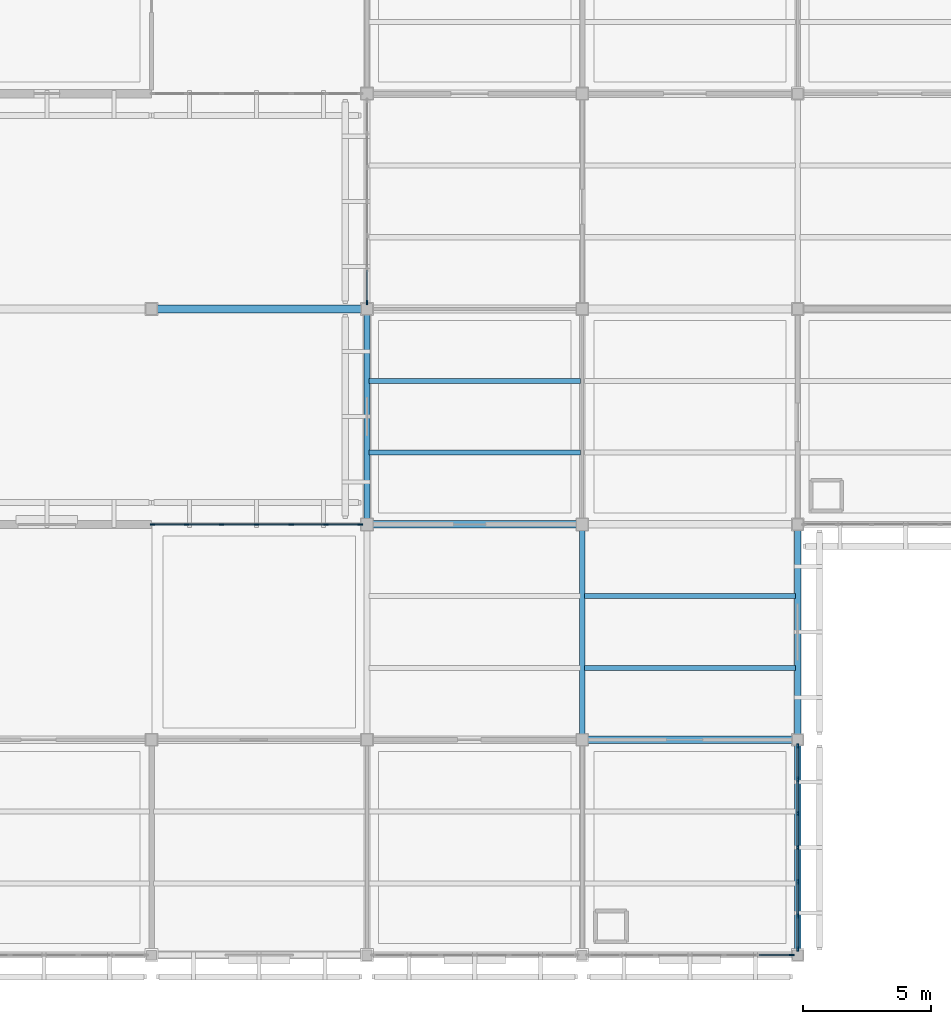
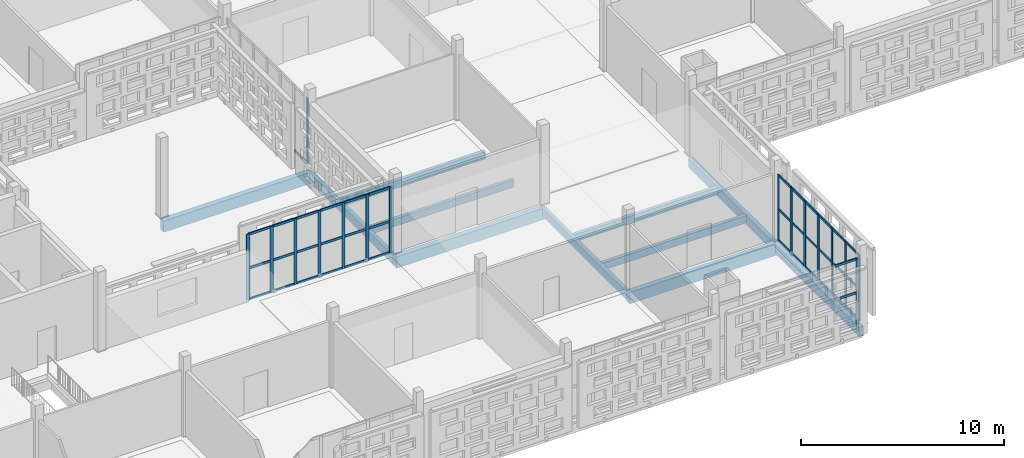
# One storey, part 20 of 203: 55 members, 11 beams, 4 elements without a shape of their own.
"""IFC4 building model written with IfcOpenShell, lengths in metres."""

from ifc_helpers import new_model, si_unit, direction, frame, origin, origin_2d, place, context, subcontext, project, spatial, rectangle, extrude, material, layer, layer_set, material_profile, profile_set, type_object, element, aggregate, save


model = new_model("IFC4")

# Units and contexts
model_context = context("Model", 3, precision=1e-05, world=origin(), true_north=direction((0.0, 1.0)))
body_context = subcontext(model_context, "Body", "Model", "MODEL_VIEW")
ifc_project = project(units=[si_unit("LENGTHUNIT", "METRE"), si_unit("AREAUNIT", "SQUARE_METRE"), si_unit("VOLUMEUNIT", "CUBIC_METRE"), si_unit("PLANEANGLEUNIT", "RADIAN"), si_unit("MASSUNIT", "GRAM", prefix="KILO")], contexts=[model_context])

# Site, building, storey
site_placement = place(None, origin())
site = spatial("IfcSite", under=ifc_project, at=site_placement, CompositionType="ELEMENT")
building_placement = place(site_placement, origin())
building = spatial("IfcBuilding", under=site, at=building_placement, Name="Varnapada Polytechnic", CompositionType="ELEMENT")
storey_placement = place(building_placement, frame((0.0, 0.0, 4.800048828125)))
storey = spatial("IfcBuildingStorey", under=building, at=storey_placement, Name="L01", CompositionType="ELEMENT", Elevation=4.800048828125)

# Beams
ifc_material_1 = material(Name="Glulam GL32h", Category="wood")
ifc_material_profile_1 = material_profile(ifc_material_1, rectangle(XDim=0.199951171875, YDim=0.43994140625, at=origin_2d()), Name="GL 200x440")
ifc_profile_set_1 = profile_set([ifc_material_profile_1], Name="Glulam GL32h")
beam_type_1 = type_object("IfcBeamType", Name="Heavy laboratory glulam joist GJ-03 (GL 200x440)", PredefinedType="JOIST", material=ifc_profile_set_1)
for number, where, z_axis, x_axis, name in (
    (1, (42.080078125, 19.60009765625, -0.489990234375), (1.0, 0.0, 0.0), (0.0, 1.0, 0.0), "L01 floor joist 6/3.1"),
    (2, (42.080078125, 22.39990234375, -0.489990234375), (1.0, 0.0, 0.0), (0.0, 1.0, 0.0), "L01 floor joist 6/3.2"),
    (3, (50.47998046875, 11.199951171875, -0.47998046875), (1.0, 0.0, 0.0), (0.0, 1.0, 0.0), "L01 floor joist 7/2.1"),
    (4, (50.47998046875, 14.0, -0.47998046875), (1.0, 0.0, 0.0), (0.0, 1.0, 0.0), "L01 floor joist 7/2.2"),
):
    element("IfcBeam", number, at=place(storey_placement, frame(where, z_axis=z_axis, x_axis=x_axis)), inside=storey, type_object=beam_type_1, Name=name, PredefinedType="JOIST", context=body_context, shape_type="SweptSolid", body=[
        extrude(rectangle(XDim=0.199951171875, YDim=0.43994140625, at=origin_2d()), origin(), (0.0, 0.0, 1.0), 8.239990234375),
    ])
ifc_material_profile_2 = material_profile(ifc_material_1, rectangle(XDim=0.219970703125, YDim=0.52001953125, at=origin_2d()), Name="GL 220x520")
ifc_profile_set_2 = profile_set([ifc_material_profile_2], Name="Glulam GL32h")
beam_type_2 = type_object("IfcBeamType", Name="Laboratory transverse glulam beam GB-12 (GL 220x520)", PredefinedType="BEAM", material=ifc_profile_set_2)
beam_1_placement = place(storey_placement, frame((42.0, 16.800048828125, -0.530029296875), z_axis=(0.0, 1.0, 0.0), x_axis=(-1.0, 0.0, 0.0)))
element("IfcBeam", 5, at=beam_1_placement, inside=storey, type_object=beam_type_2, Name="L01 beam Y 3-4 at X6", PredefinedType="BEAM", context=body_context, shape_type="SweptSolid", body=[
    extrude(rectangle(XDim=0.219970703125, YDim=0.52001953125, at=origin_2d()), origin(), (0.0, 0.0, 1.0), 8.39990234375),
])

# Curtain wall, members
ifc_material_2 = material(Name="Double low-E laminated glass", Category="glass")
ifc_layer_1 = layer(ifc_material_2, 0.179931640625)
ifc_layer_set_1 = layer_set([ifc_layer_1], Name="Double low-E laminated glass")
curtain_wall_type_1 = type_object("IfcCurtainWallType", Name="Curtain Wall CW-03", PredefinedType="NOTDEFINED", material=ifc_layer_set_1)
curtain_wall_1_placement = place(storey_placement, origin())
curtain_wall_1 = element("IfcCurtainWall", 6, at=curtain_wall_1_placement, inside=storey, type_object=curtain_wall_type_1, Name="L01 unitised curtain wall CW-03 (35)", PredefinedType="NOTDEFINED")
ifc_material_3 = material(Name="Anodised aluminium", Category="aluminium")
ifc_material_profile_3 = material_profile(ifc_material_3, rectangle(XDim=0.06494140625, YDim=0.179931640625, at=origin_2d()), Name="ALU M65x180")
ifc_profile_set_3 = profile_set([ifc_material_profile_3], Name="Anodised aluminium")
member_type_1 = type_object("IfcMemberType", Name="Mullion M-02", PredefinedType="MULLION", material=ifc_profile_set_3)
member_1_placement = place(storey_placement, frame((33.632568359375, 16.800048828125, 0.0), z_axis=(0.0, 0.0, 1.0), x_axis=(0.0, 1.0, 0.0)))
member_1 = element("IfcMember", 7, at=member_1_placement, type_object=member_type_1, Name="CW-03 mullion 1", PredefinedType="MULLION", context=body_context, shape_type="SweptSolid", body=[
    extrude(rectangle(XDim=0.06494140625, YDim=0.179931640625, at=origin_2d()), origin(), (0.0, 0.0, 1.0), 3.9599609375),
])
member_2_placement = place(storey_placement, frame((34.961669921875, 16.800048828125, 0.0), z_axis=(0.0, 0.0, 1.0), x_axis=(0.0, 1.0, 0.0)))
member_2 = element("IfcMember", 8, at=member_2_placement, type_object=member_type_1, Name="CW-03 mullion 2", PredefinedType="MULLION", context=body_context, shape_type="SweptSolid", body=[
    extrude(rectangle(XDim=0.06494140625, YDim=0.179931640625, at=origin_2d()), origin(), (0.0, 0.0, 1.0), 3.9599609375),
])
member_3_placement = place(storey_placement, frame((36.3232421875, 16.800048828125, 0.0), z_axis=(0.0, 0.0, 1.0), x_axis=(0.0, 1.0, 0.0)))
member_3 = element("IfcMember", 9, at=member_3_placement, type_object=member_type_1, Name="CW-03 mullion 3", PredefinedType="MULLION", context=body_context, shape_type="SweptSolid", body=[
    extrude(rectangle(XDim=0.06494140625, YDim=0.179931640625, at=origin_2d()), origin(), (0.0, 0.0, 1.0), 3.9599609375),
])
member_4_placement = place(storey_placement, frame((37.68505859375, 16.800048828125, 0.0), z_axis=(0.0, 0.0, 1.0), x_axis=(0.0, 1.0, 0.0)))
member_4 = element("IfcMember", 10, at=member_4_placement, type_object=member_type_1, Name="CW-03 mullion 4", PredefinedType="MULLION", context=body_context, shape_type="SweptSolid", body=[
    extrude(rectangle(XDim=0.06494140625, YDim=0.179931640625, at=origin_2d()), origin(), (0.0, 0.0, 1.0), 3.9599609375),
])
member_5_placement = place(storey_placement, frame((39.046630859375, 16.800048828125, 0.0), z_axis=(0.0, 0.0, 1.0), x_axis=(0.0, 1.0, 0.0)))
member_5 = element("IfcMember", 11, at=member_5_placement, type_object=member_type_1, Name="CW-03 mullion 5", PredefinedType="MULLION", context=body_context, shape_type="SweptSolid", body=[
    extrude(rectangle(XDim=0.06494140625, YDim=0.179931640625, at=origin_2d()), origin(), (0.0, 0.0, 1.0), 3.9599609375),
])
member_6_placement = place(storey_placement, frame((40.408447265625, 16.800048828125, 0.0), z_axis=(0.0, 0.0, 1.0), x_axis=(0.0, 1.0, 0.0)))
member_6 = element("IfcMember", 12, at=member_6_placement, type_object=member_type_1, Name="CW-03 mullion 6", PredefinedType="MULLION", context=body_context, shape_type="SweptSolid", body=[
    extrude(rectangle(XDim=0.06494140625, YDim=0.179931640625, at=origin_2d()), origin(), (0.0, 0.0, 1.0), 3.9599609375),
])
member_7_placement = place(storey_placement, frame((41.737548828125, 16.800048828125, 0.0), z_axis=(0.0, 0.0, 1.0), x_axis=(0.0, 1.0, 0.0)))
member_7 = element("IfcMember", 13, at=member_7_placement, type_object=member_type_1, Name="CW-03 mullion 7", PredefinedType="MULLION", context=body_context, shape_type="SweptSolid", body=[
    extrude(rectangle(XDim=0.06494140625, YDim=0.179931640625, at=origin_2d()), origin(), (0.0, 0.0, 1.0), 3.9599609375),
])

# Curtain wall, member
curtain_wall_2_placement = place(storey_placement, origin())
curtain_wall_2 = element("IfcCurtainWall", 14, at=curtain_wall_2_placement, inside=storey, type_object=curtain_wall_type_1, Name="L01 unitised curtain wall CW-03 (44)", PredefinedType="NOTDEFINED")
member_8_placement = place(storey_placement, frame((42.0, 25.452392578125, 0.0), z_axis=(0.0, 0.0, 1.0), x_axis=(-1.0, 0.0, 0.0)))
member_8 = element("IfcMember", 15, at=member_8_placement, type_object=member_type_1, Name="CW-03 mullion 1", PredefinedType="MULLION", context=body_context, shape_type="SweptSolid", body=[
    extrude(rectangle(XDim=0.06494140625, YDim=0.179931640625, at=origin_2d()), origin(), (0.0, 0.0, 1.0), 3.9599609375),
])

ifc_layer_2 = layer(ifc_material_2, 0.179931640625)
ifc_layer_set_2 = layer_set([ifc_layer_2], Name="Double low-E laminated glass")
curtain_wall_type_2 = type_object("IfcCurtainWallType", Name="Curtain Wall CW-04", PredefinedType="NOTDEFINED", material=ifc_layer_set_2)
curtain_wall_3_placement = place(storey_placement, origin())
curtain_wall_3 = element("IfcCurtainWall", 16, at=curtain_wall_3_placement, inside=storey, type_object=curtain_wall_type_2, Name="L01 unitised curtain wall CW-04 (48)", PredefinedType="NOTDEFINED")
member_9_placement = place(storey_placement, frame((58.5673828125, 0.0, 0.0), z_axis=(0.0, 0.0, 1.0), x_axis=(0.0, -1.0, 0.0)))
member_9 = element("IfcMember", 17, at=member_9_placement, type_object=member_type_1, Name="CW-04 mullion 1", PredefinedType="MULLION", context=body_context, shape_type="SweptSolid", body=[
    extrude(rectangle(XDim=0.06494140625, YDim=0.179931640625, at=origin_2d()), origin(), (0.0, 0.0, 1.0), 3.9599609375),
])

# Curtain wall, members
curtain_wall_4_placement = place(storey_placement, origin())
curtain_wall_4 = element("IfcCurtainWall", 18, at=curtain_wall_4_placement, inside=storey, type_object=curtain_wall_type_2, Name="L01 unitised curtain wall CW-04 (49)", PredefinedType="NOTDEFINED")
member_10_placement = place(storey_placement, frame((58.800048828125, 8.157470703125, 0.0), z_axis=(0.0, 0.0, 1.0), x_axis=(1.0, 0.0, 0.0)))
member_10 = element("IfcMember", 19, at=member_10_placement, type_object=member_type_1, Name="CW-04 mullion 1", PredefinedType="MULLION", context=body_context, shape_type="SweptSolid", body=[
    extrude(rectangle(XDim=0.06494140625, YDim=0.179931640625, at=origin_2d()), origin(), (0.0, 0.0, 1.0), 3.9599609375),
])
member_11_placement = place(storey_placement, frame((58.800048828125, 6.8583984375, 0.0), z_axis=(0.0, 0.0, 1.0), x_axis=(1.0, 0.0, 0.0)))
member_11 = element("IfcMember", 20, at=member_11_placement, type_object=member_type_1, Name="CW-04 mullion 2", PredefinedType="MULLION", context=body_context, shape_type="SweptSolid", body=[
    extrude(rectangle(XDim=0.06494140625, YDim=0.179931640625, at=origin_2d()), origin(), (0.0, 0.0, 1.0), 3.9599609375),
])
member_12_placement = place(storey_placement, frame((58.800048828125, 5.526611328125, 0.0), z_axis=(0.0, 0.0, 1.0), x_axis=(1.0, 0.0, 0.0)))
member_12 = element("IfcMember", 21, at=member_12_placement, type_object=member_type_1, Name="CW-04 mullion 3", PredefinedType="MULLION", context=body_context, shape_type="SweptSolid", body=[
    extrude(rectangle(XDim=0.06494140625, YDim=0.179931640625, at=origin_2d()), origin(), (0.0, 0.0, 1.0), 3.9599609375),
])
member_13_placement = place(storey_placement, frame((58.800048828125, 4.195068359375, 0.0), z_axis=(0.0, 0.0, 1.0), x_axis=(1.0, 0.0, 0.0)))
member_13 = element("IfcMember", 22, at=member_13_placement, type_object=member_type_1, Name="CW-04 mullion 4", PredefinedType="MULLION", context=body_context, shape_type="SweptSolid", body=[
    extrude(rectangle(XDim=0.06494140625, YDim=0.179931640625, at=origin_2d()), origin(), (0.0, 0.0, 1.0), 3.9599609375),
])
member_14_placement = place(storey_placement, frame((58.800048828125, 2.86328125, 0.0), z_axis=(0.0, 0.0, 1.0), x_axis=(1.0, 0.0, 0.0)))
member_14 = element("IfcMember", 23, at=member_14_placement, type_object=member_type_1, Name="CW-04 mullion 5", PredefinedType="MULLION", context=body_context, shape_type="SweptSolid", body=[
    extrude(rectangle(XDim=0.06494140625, YDim=0.179931640625, at=origin_2d()), origin(), (0.0, 0.0, 1.0), 3.9599609375),
])
member_15_placement = place(storey_placement, frame((58.800048828125, 1.53173828125, 0.0), z_axis=(0.0, 0.0, 1.0), x_axis=(1.0, 0.0, 0.0)))
member_15 = element("IfcMember", 24, at=member_15_placement, type_object=member_type_1, Name="CW-04 mullion 6", PredefinedType="MULLION", context=body_context, shape_type="SweptSolid", body=[
    extrude(rectangle(XDim=0.06494140625, YDim=0.179931640625, at=origin_2d()), origin(), (0.0, 0.0, 1.0), 3.9599609375),
])
member_16_placement = place(storey_placement, frame((58.800048828125, 0.232421875, 0.0), z_axis=(0.0, 0.0, 1.0), x_axis=(1.0, 0.0, 0.0)))
member_16 = element("IfcMember", 25, at=member_16_placement, type_object=member_type_1, Name="CW-04 mullion 7", PredefinedType="MULLION", context=body_context, shape_type="SweptSolid", body=[
    extrude(rectangle(XDim=0.06494140625, YDim=0.179931640625, at=origin_2d()), origin(), (0.0, 0.0, 1.0), 3.9599609375),
])

# Beams
ifc_material_profile_4 = material_profile(ifc_material_1, rectangle(XDim=0.239990234375, YDim=0.56005859375, at=origin_2d()), Name="GL 240x560")
ifc_profile_set_4 = profile_set([ifc_material_profile_4], Name="Glulam GL32h")
beam_type_3 = type_object("IfcBeamType", Name="Perimeter glulam spandrel beam SP-02 (GL 240x560)", PredefinedType="SPANDREL", material=ifc_profile_set_4)
beam_2_placement = place(storey_placement, frame((58.800048828125, 0.0, -0.5400390625), z_axis=(0.0, 1.0, 0.0), x_axis=(-1.0, 0.0, 0.0)))
element("IfcBeam", 26, at=beam_2_placement, inside=storey, type_object=beam_type_3, Name="L01 beam Y 1-2 at X8", PredefinedType="SPANDREL", context=body_context, shape_type="SweptSolid", body=[
    extrude(rectangle(XDim=0.239990234375, YDim=0.56005859375, at=origin_2d()), origin(), (0.0, 0.0, 1.0), 8.39990234375),
])
beam_3_placement = place(storey_placement, frame((58.800048828125, 8.39990234375, -0.5400390625), z_axis=(0.0, 1.0, 0.0), x_axis=(-1.0, 0.0, 0.0)))
element("IfcBeam", 27, at=beam_3_placement, inside=storey, type_object=beam_type_3, Name="L01 beam Y 2-3 at X8", PredefinedType="SPANDREL", context=body_context, shape_type="SweptSolid", body=[
    extrude(rectangle(XDim=0.239990234375, YDim=0.56005859375, at=origin_2d()), origin(), (0.0, 0.0, 1.0), 8.400146484375),
])

# Member
ifc_material_profile_5 = material_profile(ifc_material_3, rectangle(XDim=0.06494140625, YDim=0.139892578125, at=origin_2d()), Name="ALU T65x140")
ifc_profile_set_5 = profile_set([ifc_material_profile_5], Name="Anodised aluminium")
member_type_2 = type_object("IfcMemberType", Name="Transom T-02", PredefinedType="USERDEFINED", material=ifc_profile_set_5)
member_17_placement = place(storey_placement, frame((33.6650390625, 16.800048828125, 0.032470703125), z_axis=(1.0, 0.0, 0.0), x_axis=(0.0, 1.0, 0.0)))
member_17 = element("IfcMember", 28, at=member_17_placement, type_object=member_type_2, Name="CW-03 transom 1.1", ObjectType="TRANSOM", PredefinedType="USERDEFINED", context=body_context, shape_type="SweptSolid", body=[
    extrude(rectangle(XDim=0.06494140625, YDim=0.139892578125, at=origin_2d()), origin(), (0.0, 0.0, 1.0), 1.26416015625),
])

member_18_placement = place(storey_placement, frame((33.6650390625, 16.800048828125, 1.900634765625), z_axis=(1.0, 0.0, 0.0), x_axis=(0.0, 1.0, 0.0)))
member_18 = element("IfcMember", 29, at=member_18_placement, type_object=member_type_2, Name="CW-03 transom 1.2", ObjectType="TRANSOM", PredefinedType="USERDEFINED", context=body_context, shape_type="SweptSolid", body=[
    extrude(rectangle(XDim=0.06494140625, YDim=0.139892578125, at=origin_2d()), origin(), (0.0, 0.0, 1.0), 1.26416015625),
])

member_19_placement = place(storey_placement, frame((33.6650390625, 16.800048828125, 3.927490234375), z_axis=(1.0, 0.0, 0.0), x_axis=(0.0, 1.0, 0.0)))
member_19 = element("IfcMember", 30, at=member_19_placement, type_object=member_type_2, Name="CW-03 transom 1.3", ObjectType="TRANSOM", PredefinedType="USERDEFINED", context=body_context, shape_type="SweptSolid", body=[
    extrude(rectangle(XDim=0.06494140625, YDim=0.139892578125, at=origin_2d()), origin(), (0.0, 0.0, 1.0), 1.26416015625),
])

member_20_placement = place(storey_placement, frame((34.994140625, 16.800048828125, 0.032470703125), z_axis=(1.0, 0.0, 0.0), x_axis=(0.0, 1.0, 0.0)))
member_20 = element("IfcMember", 31, at=member_20_placement, type_object=member_type_2, Name="CW-03 transom 2.1", ObjectType="TRANSOM", PredefinedType="USERDEFINED", context=body_context, shape_type="SweptSolid", body=[
    extrude(rectangle(XDim=0.06494140625, YDim=0.139892578125, at=origin_2d()), origin(), (0.0, 0.0, 1.0), 1.296630859375),
])

member_21_placement = place(storey_placement, frame((34.994140625, 16.800048828125, 1.900634765625), z_axis=(1.0, 0.0, 0.0), x_axis=(0.0, 1.0, 0.0)))
member_21 = element("IfcMember", 32, at=member_21_placement, type_object=member_type_2, Name="CW-03 transom 2.2", ObjectType="TRANSOM", PredefinedType="USERDEFINED", context=body_context, shape_type="SweptSolid", body=[
    extrude(rectangle(XDim=0.06494140625, YDim=0.139892578125, at=origin_2d()), origin(), (0.0, 0.0, 1.0), 1.296630859375),
])

member_22_placement = place(storey_placement, frame((34.994140625, 16.800048828125, 3.927490234375), z_axis=(1.0, 0.0, 0.0), x_axis=(0.0, 1.0, 0.0)))
member_22 = element("IfcMember", 33, at=member_22_placement, type_object=member_type_2, Name="CW-03 transom 2.3", ObjectType="TRANSOM", PredefinedType="USERDEFINED", context=body_context, shape_type="SweptSolid", body=[
    extrude(rectangle(XDim=0.06494140625, YDim=0.139892578125, at=origin_2d()), origin(), (0.0, 0.0, 1.0), 1.296630859375),
])

member_23_placement = place(storey_placement, frame((36.355712890625, 16.800048828125, 0.032470703125), z_axis=(1.0, 0.0, 0.0), x_axis=(0.0, 1.0, 0.0)))
member_23 = element("IfcMember", 34, at=member_23_placement, type_object=member_type_2, Name="CW-03 transom 3.1", ObjectType="TRANSOM", PredefinedType="USERDEFINED", context=body_context, shape_type="SweptSolid", body=[
    extrude(rectangle(XDim=0.06494140625, YDim=0.139892578125, at=origin_2d()), origin(), (0.0, 0.0, 1.0), 1.296875),
])

member_24_placement = place(storey_placement, frame((36.355712890625, 16.800048828125, 1.900634765625), z_axis=(1.0, 0.0, 0.0), x_axis=(0.0, 1.0, 0.0)))
member_24 = element("IfcMember", 35, at=member_24_placement, type_object=member_type_2, Name="CW-03 transom 3.2", ObjectType="TRANSOM", PredefinedType="USERDEFINED", context=body_context, shape_type="SweptSolid", body=[
    extrude(rectangle(XDim=0.06494140625, YDim=0.139892578125, at=origin_2d()), origin(), (0.0, 0.0, 1.0), 1.296875),
])

member_25_placement = place(storey_placement, frame((36.355712890625, 16.800048828125, 3.927490234375), z_axis=(1.0, 0.0, 0.0), x_axis=(0.0, 1.0, 0.0)))
member_25 = element("IfcMember", 36, at=member_25_placement, type_object=member_type_2, Name="CW-03 transom 3.3", ObjectType="TRANSOM", PredefinedType="USERDEFINED", context=body_context, shape_type="SweptSolid", body=[
    extrude(rectangle(XDim=0.06494140625, YDim=0.139892578125, at=origin_2d()), origin(), (0.0, 0.0, 1.0), 1.296875),
])

member_26_placement = place(storey_placement, frame((37.717529296875, 16.800048828125, 0.032470703125), z_axis=(1.0, 0.0, 0.0), x_axis=(0.0, 1.0, 0.0)))
member_26 = element("IfcMember", 37, at=member_26_placement, type_object=member_type_2, Name="CW-03 transom 4.1", ObjectType="TRANSOM", PredefinedType="USERDEFINED", context=body_context, shape_type="SweptSolid", body=[
    extrude(rectangle(XDim=0.06494140625, YDim=0.139892578125, at=origin_2d()), origin(), (0.0, 0.0, 1.0), 1.296630859375),
])

member_27_placement = place(storey_placement, frame((37.717529296875, 16.800048828125, 1.900634765625), z_axis=(1.0, 0.0, 0.0), x_axis=(0.0, 1.0, 0.0)))
member_27 = element("IfcMember", 38, at=member_27_placement, type_object=member_type_2, Name="CW-03 transom 4.2", ObjectType="TRANSOM", PredefinedType="USERDEFINED", context=body_context, shape_type="SweptSolid", body=[
    extrude(rectangle(XDim=0.06494140625, YDim=0.139892578125, at=origin_2d()), origin(), (0.0, 0.0, 1.0), 1.296630859375),
])

member_28_placement = place(storey_placement, frame((37.717529296875, 16.800048828125, 3.927490234375), z_axis=(1.0, 0.0, 0.0), x_axis=(0.0, 1.0, 0.0)))
member_28 = element("IfcMember", 39, at=member_28_placement, type_object=member_type_2, Name="CW-03 transom 4.3", ObjectType="TRANSOM", PredefinedType="USERDEFINED", context=body_context, shape_type="SweptSolid", body=[
    extrude(rectangle(XDim=0.06494140625, YDim=0.139892578125, at=origin_2d()), origin(), (0.0, 0.0, 1.0), 1.296630859375),
])

member_29_placement = place(storey_placement, frame((39.0791015625, 16.800048828125, 0.032470703125), z_axis=(1.0, 0.0, 0.0), x_axis=(0.0, 1.0, 0.0)))
member_29 = element("IfcMember", 40, at=member_29_placement, type_object=member_type_2, Name="CW-03 transom 5.1", ObjectType="TRANSOM", PredefinedType="USERDEFINED", context=body_context, shape_type="SweptSolid", body=[
    extrude(rectangle(XDim=0.06494140625, YDim=0.139892578125, at=origin_2d()), origin(), (0.0, 0.0, 1.0), 1.296630859375),
])

member_30_placement = place(storey_placement, frame((39.0791015625, 16.800048828125, 1.900634765625), z_axis=(1.0, 0.0, 0.0), x_axis=(0.0, 1.0, 0.0)))
member_30 = element("IfcMember", 41, at=member_30_placement, type_object=member_type_2, Name="CW-03 transom 5.2", ObjectType="TRANSOM", PredefinedType="USERDEFINED", context=body_context, shape_type="SweptSolid", body=[
    extrude(rectangle(XDim=0.06494140625, YDim=0.139892578125, at=origin_2d()), origin(), (0.0, 0.0, 1.0), 1.296630859375),
])

member_31_placement = place(storey_placement, frame((39.0791015625, 16.800048828125, 3.927490234375), z_axis=(1.0, 0.0, 0.0), x_axis=(0.0, 1.0, 0.0)))
member_31 = element("IfcMember", 42, at=member_31_placement, type_object=member_type_2, Name="CW-03 transom 5.3", ObjectType="TRANSOM", PredefinedType="USERDEFINED", context=body_context, shape_type="SweptSolid", body=[
    extrude(rectangle(XDim=0.06494140625, YDim=0.139892578125, at=origin_2d()), origin(), (0.0, 0.0, 1.0), 1.296630859375),
])

member_32_placement = place(storey_placement, frame((40.44091796875, 16.800048828125, 0.032470703125), z_axis=(1.0, 0.0, 0.0), x_axis=(0.0, 1.0, 0.0)))
member_32 = element("IfcMember", 43, at=member_32_placement, type_object=member_type_2, Name="CW-03 transom 6.1", ObjectType="TRANSOM", PredefinedType="USERDEFINED", context=body_context, shape_type="SweptSolid", body=[
    extrude(rectangle(XDim=0.06494140625, YDim=0.139892578125, at=origin_2d()), origin(), (0.0, 0.0, 1.0), 1.26416015625),
])

member_33_placement = place(storey_placement, frame((40.44091796875, 16.800048828125, 1.900634765625), z_axis=(1.0, 0.0, 0.0), x_axis=(0.0, 1.0, 0.0)))
member_33 = element("IfcMember", 44, at=member_33_placement, type_object=member_type_2, Name="CW-03 transom 6.2", ObjectType="TRANSOM", PredefinedType="USERDEFINED", context=body_context, shape_type="SweptSolid", body=[
    extrude(rectangle(XDim=0.06494140625, YDim=0.139892578125, at=origin_2d()), origin(), (0.0, 0.0, 1.0), 1.26416015625),
])

member_34_placement = place(storey_placement, frame((40.44091796875, 16.800048828125, 3.927490234375), z_axis=(1.0, 0.0, 0.0), x_axis=(0.0, 1.0, 0.0)))
member_34 = element("IfcMember", 45, at=member_34_placement, type_object=member_type_2, Name="CW-03 transom 6.3", ObjectType="TRANSOM", PredefinedType="USERDEFINED", context=body_context, shape_type="SweptSolid", body=[
    extrude(rectangle(XDim=0.06494140625, YDim=0.139892578125, at=origin_2d()), origin(), (0.0, 0.0, 1.0), 1.26416015625),
])

aggregate(curtain_wall_1, [member_1, member_2, member_3, member_4, member_5, member_6, member_7, member_17, member_18, member_19, member_20, member_21, member_22, member_23, member_24, member_25, member_26, member_27, member_28, member_29, member_30, member_31, member_32, member_33, member_34])

member_35_placement = place(storey_placement, frame((42.0, 25.485107421875, 0.032470703125), z_axis=(0.0, 1.0, 0.0), x_axis=(-1.0, 0.0, 0.0)))
member_35 = element("IfcMember", 46, at=member_35_placement, type_object=member_type_2, Name="CW-03 transom 1.1", ObjectType="TRANSOM", PredefinedType="USERDEFINED", context=body_context, shape_type="SweptSolid", body=[
    extrude(rectangle(XDim=0.06494140625, YDim=0.139892578125, at=origin_2d()), origin(), (0.0, 0.0, 1.0), 1.227294921875),
])

aggregate(curtain_wall_2, [member_8, member_35])

member_36_placement = place(storey_placement, frame((58.534912109375, 0.0, 1.900634765625), z_axis=(-1.0, 0.0, 0.0), x_axis=(0.0, -1.0, 0.0)))
member_36 = element("IfcMember", 47, at=member_36_placement, type_object=member_type_2, Name="CW-04 transom 1.2", ObjectType="TRANSOM", PredefinedType="USERDEFINED", context=body_context, shape_type="SweptSolid", body=[
    extrude(rectangle(XDim=0.06494140625, YDim=0.139892578125, at=origin_2d()), origin(), (0.0, 0.0, 1.0), 1.2373046875),
])

member_37_placement = place(storey_placement, frame((58.534912109375, 0.0, 3.927490234375), z_axis=(-1.0, 0.0, 0.0), x_axis=(0.0, -1.0, 0.0)))
member_37 = element("IfcMember", 48, at=member_37_placement, type_object=member_type_2, Name="CW-04 transom 1.3", ObjectType="TRANSOM", PredefinedType="USERDEFINED", context=body_context, shape_type="SweptSolid", body=[
    extrude(rectangle(XDim=0.06494140625, YDim=0.139892578125, at=origin_2d()), origin(), (0.0, 0.0, 1.0), 1.2373046875),
])

aggregate(curtain_wall_3, [member_9, member_36, member_37])

member_38_placement = place(storey_placement, frame((58.800048828125, 8.125, 0.032470703125), z_axis=(0.0, -1.0, 0.0), x_axis=(1.0, 0.0, 0.0)))
member_38 = element("IfcMember", 49, at=member_38_placement, type_object=member_type_2, Name="CW-04 transom 1.1", ObjectType="TRANSOM", PredefinedType="USERDEFINED", context=body_context, shape_type="SweptSolid", body=[
    extrude(rectangle(XDim=0.06494140625, YDim=0.139892578125, at=origin_2d()), origin(), (0.0, 0.0, 1.0), 1.234130859375),
])

member_39_placement = place(storey_placement, frame((58.800048828125, 8.125, 1.900634765625), z_axis=(0.0, -1.0, 0.0), x_axis=(1.0, 0.0, 0.0)))
member_39 = element("IfcMember", 50, at=member_39_placement, type_object=member_type_2, Name="CW-04 transom 1.2", ObjectType="TRANSOM", PredefinedType="USERDEFINED", context=body_context, shape_type="SweptSolid", body=[
    extrude(rectangle(XDim=0.06494140625, YDim=0.139892578125, at=origin_2d()), origin(), (0.0, 0.0, 1.0), 1.234130859375),
])

member_40_placement = place(storey_placement, frame((58.800048828125, 8.125, 3.927490234375), z_axis=(0.0, -1.0, 0.0), x_axis=(1.0, 0.0, 0.0)))
member_40 = element("IfcMember", 51, at=member_40_placement, type_object=member_type_2, Name="CW-04 transom 1.3", ObjectType="TRANSOM", PredefinedType="USERDEFINED", context=body_context, shape_type="SweptSolid", body=[
    extrude(rectangle(XDim=0.06494140625, YDim=0.139892578125, at=origin_2d()), origin(), (0.0, 0.0, 1.0), 1.234130859375),
])

member_41_placement = place(storey_placement, frame((58.800048828125, 6.825927734375, 0.032470703125), z_axis=(0.0, -1.0, 0.0), x_axis=(1.0, 0.0, 0.0)))
member_41 = element("IfcMember", 52, at=member_41_placement, type_object=member_type_2, Name="CW-04 transom 2.1", ObjectType="TRANSOM", PredefinedType="USERDEFINED", context=body_context, shape_type="SweptSolid", body=[
    extrude(rectangle(XDim=0.06494140625, YDim=0.139892578125, at=origin_2d()), origin(), (0.0, 0.0, 1.0), 1.266845703125),
])

member_42_placement = place(storey_placement, frame((58.800048828125, 6.825927734375, 1.900634765625), z_axis=(0.0, -1.0, 0.0), x_axis=(1.0, 0.0, 0.0)))
member_42 = element("IfcMember", 53, at=member_42_placement, type_object=member_type_2, Name="CW-04 transom 2.2", ObjectType="TRANSOM", PredefinedType="USERDEFINED", context=body_context, shape_type="SweptSolid", body=[
    extrude(rectangle(XDim=0.06494140625, YDim=0.139892578125, at=origin_2d()), origin(), (0.0, 0.0, 1.0), 1.266845703125),
])

member_43_placement = place(storey_placement, frame((58.800048828125, 6.825927734375, 3.927490234375), z_axis=(0.0, -1.0, 0.0), x_axis=(1.0, 0.0, 0.0)))
member_43 = element("IfcMember", 54, at=member_43_placement, type_object=member_type_2, Name="CW-04 transom 2.3", ObjectType="TRANSOM", PredefinedType="USERDEFINED", context=body_context, shape_type="SweptSolid", body=[
    extrude(rectangle(XDim=0.06494140625, YDim=0.139892578125, at=origin_2d()), origin(), (0.0, 0.0, 1.0), 1.266845703125),
])

member_44_placement = place(storey_placement, frame((58.800048828125, 5.494140625, 0.032470703125), z_axis=(0.0, -1.0, 0.0), x_axis=(1.0, 0.0, 0.0)))
member_44 = element("IfcMember", 55, at=member_44_placement, type_object=member_type_2, Name="CW-04 transom 3.1", ObjectType="TRANSOM", PredefinedType="USERDEFINED", context=body_context, shape_type="SweptSolid", body=[
    extrude(rectangle(XDim=0.06494140625, YDim=0.139892578125, at=origin_2d()), origin(), (0.0, 0.0, 1.0), 1.2666015625),
])

member_45_placement = place(storey_placement, frame((58.800048828125, 5.494140625, 1.900634765625), z_axis=(0.0, -1.0, 0.0), x_axis=(1.0, 0.0, 0.0)))
member_45 = element("IfcMember", 56, at=member_45_placement, type_object=member_type_2, Name="CW-04 transom 3.2", ObjectType="TRANSOM", PredefinedType="USERDEFINED", context=body_context, shape_type="SweptSolid", body=[
    extrude(rectangle(XDim=0.06494140625, YDim=0.139892578125, at=origin_2d()), origin(), (0.0, 0.0, 1.0), 1.2666015625),
])

member_46_placement = place(storey_placement, frame((58.800048828125, 5.494140625, 3.927490234375), z_axis=(0.0, -1.0, 0.0), x_axis=(1.0, 0.0, 0.0)))
member_46 = element("IfcMember", 57, at=member_46_placement, type_object=member_type_2, Name="CW-04 transom 3.3", ObjectType="TRANSOM", PredefinedType="USERDEFINED", context=body_context, shape_type="SweptSolid", body=[
    extrude(rectangle(XDim=0.06494140625, YDim=0.139892578125, at=origin_2d()), origin(), (0.0, 0.0, 1.0), 1.2666015625),
])

member_47_placement = place(storey_placement, frame((58.800048828125, 4.16259765625, 0.032470703125), z_axis=(0.0, -1.0, 0.0), x_axis=(1.0, 0.0, 0.0)))
member_47 = element("IfcMember", 58, at=member_47_placement, type_object=member_type_2, Name="CW-04 transom 4.1", ObjectType="TRANSOM", PredefinedType="USERDEFINED", context=body_context, shape_type="SweptSolid", body=[
    extrude(rectangle(XDim=0.06494140625, YDim=0.139892578125, at=origin_2d()), origin(), (0.0, 0.0, 1.0), 1.266845703125),
])

member_48_placement = place(storey_placement, frame((58.800048828125, 4.16259765625, 1.900634765625), z_axis=(0.0, -1.0, 0.0), x_axis=(1.0, 0.0, 0.0)))
member_48 = element("IfcMember", 59, at=member_48_placement, type_object=member_type_2, Name="CW-04 transom 4.2", ObjectType="TRANSOM", PredefinedType="USERDEFINED", context=body_context, shape_type="SweptSolid", body=[
    extrude(rectangle(XDim=0.06494140625, YDim=0.139892578125, at=origin_2d()), origin(), (0.0, 0.0, 1.0), 1.266845703125),
])

member_49_placement = place(storey_placement, frame((58.800048828125, 4.16259765625, 3.927490234375), z_axis=(0.0, -1.0, 0.0), x_axis=(1.0, 0.0, 0.0)))
member_49 = element("IfcMember", 60, at=member_49_placement, type_object=member_type_2, Name="CW-04 transom 4.3", ObjectType="TRANSOM", PredefinedType="USERDEFINED", context=body_context, shape_type="SweptSolid", body=[
    extrude(rectangle(XDim=0.06494140625, YDim=0.139892578125, at=origin_2d()), origin(), (0.0, 0.0, 1.0), 1.266845703125),
])

member_50_placement = place(storey_placement, frame((58.800048828125, 2.830810546875, 0.032470703125), z_axis=(0.0, -1.0, 0.0), x_axis=(1.0, 0.0, 0.0)))
member_50 = element("IfcMember", 61, at=member_50_placement, type_object=member_type_2, Name="CW-04 transom 5.1", ObjectType="TRANSOM", PredefinedType="USERDEFINED", context=body_context, shape_type="SweptSolid", body=[
    extrude(rectangle(XDim=0.06494140625, YDim=0.139892578125, at=origin_2d()), origin(), (0.0, 0.0, 1.0), 1.2666015625),
])

member_51_placement = place(storey_placement, frame((58.800048828125, 2.830810546875, 1.900634765625), z_axis=(0.0, -1.0, 0.0), x_axis=(1.0, 0.0, 0.0)))
member_51 = element("IfcMember", 62, at=member_51_placement, type_object=member_type_2, Name="CW-04 transom 5.2", ObjectType="TRANSOM", PredefinedType="USERDEFINED", context=body_context, shape_type="SweptSolid", body=[
    extrude(rectangle(XDim=0.06494140625, YDim=0.139892578125, at=origin_2d()), origin(), (0.0, 0.0, 1.0), 1.2666015625),
])

member_52_placement = place(storey_placement, frame((58.800048828125, 2.830810546875, 3.927490234375), z_axis=(0.0, -1.0, 0.0), x_axis=(1.0, 0.0, 0.0)))
member_52 = element("IfcMember", 63, at=member_52_placement, type_object=member_type_2, Name="CW-04 transom 5.3", ObjectType="TRANSOM", PredefinedType="USERDEFINED", context=body_context, shape_type="SweptSolid", body=[
    extrude(rectangle(XDim=0.06494140625, YDim=0.139892578125, at=origin_2d()), origin(), (0.0, 0.0, 1.0), 1.2666015625),
])

member_53_placement = place(storey_placement, frame((58.800048828125, 1.499267578125, 0.032470703125), z_axis=(0.0, -1.0, 0.0), x_axis=(1.0, 0.0, 0.0)))
member_53 = element("IfcMember", 64, at=member_53_placement, type_object=member_type_2, Name="CW-04 transom 6.1", ObjectType="TRANSOM", PredefinedType="USERDEFINED", context=body_context, shape_type="SweptSolid", body=[
    extrude(rectangle(XDim=0.06494140625, YDim=0.139892578125, at=origin_2d()), origin(), (0.0, 0.0, 1.0), 1.234375),
])

member_54_placement = place(storey_placement, frame((58.800048828125, 1.499267578125, 1.900634765625), z_axis=(0.0, -1.0, 0.0), x_axis=(1.0, 0.0, 0.0)))
member_54 = element("IfcMember", 65, at=member_54_placement, type_object=member_type_2, Name="CW-04 transom 6.2", ObjectType="TRANSOM", PredefinedType="USERDEFINED", context=body_context, shape_type="SweptSolid", body=[
    extrude(rectangle(XDim=0.06494140625, YDim=0.139892578125, at=origin_2d()), origin(), (0.0, 0.0, 1.0), 1.234375),
])

member_55_placement = place(storey_placement, frame((58.800048828125, 1.499267578125, 3.927490234375), z_axis=(0.0, -1.0, 0.0), x_axis=(1.0, 0.0, 0.0)))
member_55 = element("IfcMember", 66, at=member_55_placement, type_object=member_type_2, Name="CW-04 transom 6.3", ObjectType="TRANSOM", PredefinedType="USERDEFINED", context=body_context, shape_type="SweptSolid", body=[
    extrude(rectangle(XDim=0.06494140625, YDim=0.139892578125, at=origin_2d()), origin(), (0.0, 0.0, 1.0), 1.234375),
])

aggregate(curtain_wall_4, [member_10, member_11, member_12, member_13, member_14, member_15, member_16, member_38, member_39, member_40, member_41, member_42, member_43, member_44, member_45, member_46, member_47, member_48, member_49, member_50, member_51, member_52, member_53, member_54, member_55])

# Beams
ifc_material_profile_6 = material_profile(ifc_material_1, rectangle(XDim=0.219970703125, YDim=0.47998046875, at=origin_2d()), Name="GL 220x480")
ifc_profile_set_6 = profile_set([ifc_material_profile_6], Name="Glulam GL32h")
beam_type_4 = type_object("IfcBeamType", Name="Upper floor glulam tie beam GB-11 (GL 220x480)", PredefinedType="BEAM", material=ifc_profile_set_6)
beam_4_placement = place(storey_placement, frame((50.39990234375, 8.39990234375, -0.5), z_axis=(0.0, 1.0, 0.0), x_axis=(-1.0, 0.0, 0.0)))
element("IfcBeam", 67, at=beam_4_placement, inside=storey, type_object=beam_type_4, Name="L01 beam Y 2-3 at X7", PredefinedType="BEAM", context=body_context, shape_type="SweptSolid", body=[
    extrude(rectangle(XDim=0.219970703125, YDim=0.47998046875, at=origin_2d()), origin(), (0.0, 0.0, 1.0), 8.400146484375),
])
ifc_material_profile_7 = material_profile(ifc_material_1, rectangle(XDim=0.300048828125, YDim=0.679931640625, at=origin_2d()), Name="GL 300x680")
ifc_profile_set_7 = profile_set([ifc_material_profile_7], Name="Glulam GL32h")
beam_type_5 = type_object("IfcBeamType", Name="Wet laboratory glulam girder GG-04 (GL 300x680)", PredefinedType="BEAM", material=ifc_profile_set_7)
for number, where, z_axis, x_axis, name in (
    (68, (33.60009765625, 25.199951171875, -0.610107421875), (1.0, 0.0, 0.0), (0.0, 1.0, 0.0), "L01 beam X 5-6 at Y4"),
    (69, (42.0, 16.800048828125, -0.610107421875), (1.0, 0.0, 0.0), (0.0, 1.0, 0.0), "L01 beam X 6-7 at Y3"),
):
    element("IfcBeam", number, at=place(storey_placement, frame(where, z_axis=z_axis, x_axis=x_axis)), inside=storey, type_object=beam_type_5, Name=name, PredefinedType="BEAM", context=body_context, shape_type="SweptSolid", body=[
        extrude(rectangle(XDim=0.300048828125, YDim=0.679931640625, at=origin_2d()), origin(), (0.0, 0.0, 1.0), 8.39990234375),
    ])
beam_5_placement = place(storey_placement, frame((50.39990234375, 8.39990234375, -0.60009765625), z_axis=(1.0, 0.0, 0.0), x_axis=(0.0, 1.0, 0.0)))
element("IfcBeam", 70, at=beam_5_placement, inside=storey, type_object=beam_type_5, Name="L01 beam X 7-8 at Y2", PredefinedType="BEAM", context=body_context, shape_type="SweptSolid", body=[
    extrude(rectangle(XDim=0.300048828125, YDim=0.679931640625, at=origin_2d()), origin(), (0.0, 0.0, 1.0), 8.400146484375),
])

save(model, "model.ifc")
